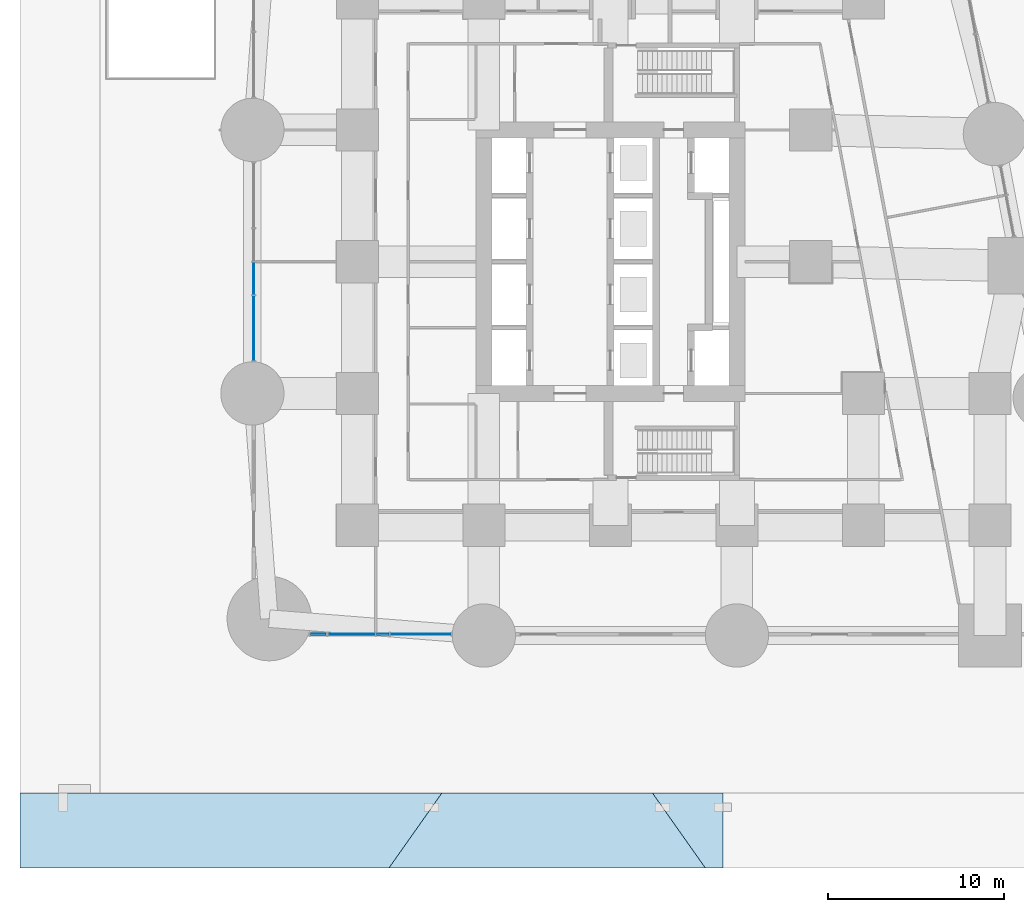
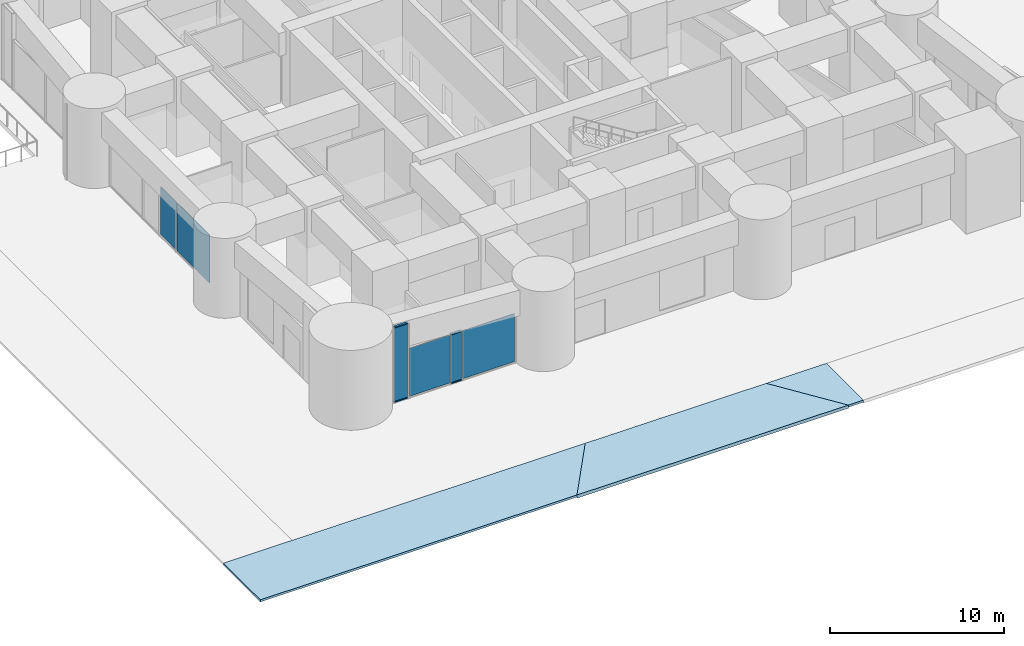
# One storey, part 6 of 16: 6 plates, 4 members, 3 slabs, 3 elements without a shape of their own.
"""IFC4 building model written with IfcOpenShell, lengths in metres."""

from ifc_helpers import new_model, si_unit, direction, frame, origin, origin_2d, place, context, subcontext, project, spatial, polyline, rectangle, outline, extrude, material, layer, layer_set, material_profile, profile_set, type_object, element, aggregate, save


model = new_model("IFC4")

# Units and contexts
model_context = context("Model", 3, precision=1e-05, world=origin(), true_north=direction((0.0, 1.0)))
body_context = subcontext(model_context, "Body", "Model", "MODEL_VIEW")
ifc_project = project(units=[si_unit("LENGTHUNIT", "METRE"), si_unit("AREAUNIT", "SQUARE_METRE"), si_unit("VOLUMEUNIT", "CUBIC_METRE"), si_unit("PLANEANGLEUNIT", "RADIAN"), si_unit("MASSUNIT", "GRAM", prefix="KILO")], contexts=[model_context])

# Site, building, storey
site_placement = place(None, origin())
site = spatial("IfcSite", under=ifc_project, at=site_placement, CompositionType="ELEMENT")
building_placement = place(site_placement, origin())
building = spatial("IfcBuilding", under=site, at=building_placement, Name="Sheger Commons Tower", CompositionType="ELEMENT")
storey_placement = place(building_placement, origin())
storey = spatial("IfcBuildingStorey", under=building, at=storey_placement, Name="L00", CompositionType="ELEMENT", Elevation=0.0)

# Curtain wall, members
ifc_material_1 = material(Name="Black aluminium curtain wall, dark tinted glazing", Category="aluminium")
curtain_wall_type = type_object("IfcCurtainWallType", Name="CURTAIN WALL CW1 SHOPFRONT", PredefinedType="USERDEFINED", material=ifc_material_1)
curtain_wall_1_placement = place(storey_placement, origin())
curtain_wall_1 = element("IfcCurtainWall", 1, at=curtain_wall_1_placement, inside=storey, type_object=curtain_wall_type, Name="Curtain Wall Cw1 Shopfront S1 L00", ObjectType="STICK CURTAIN WALL", PredefinedType="USERDEFINED")
ifc_material_2 = material(Name="Black anodised aluminium", Category="aluminium")
ifc_material_profile = material_profile(ifc_material_2, rectangle(XDim=0.14990234375, YDim=0.06494140625, at=origin_2d()), Name="AL 65x150")
ifc_profile_set = profile_set([ifc_material_profile], Name="Black anodised aluminium")
member_type = type_object("IfcMemberType", Name="TRANSOM AL 65x150", PredefinedType="USERDEFINED", material=ifc_profile_set)
member_1_placement = place(storey_placement, frame((4.527099609375, 1.300048828125, 0.032470703125), z_axis=(1.0, 0.0, 0.0), x_axis=(0.0, 1.0, 0.0)))
member_1 = element("IfcMember", 2, at=member_1_placement, type_object=member_type, Name="CW1 transom 1.1", ObjectType="TRANSOM", PredefinedType="USERDEFINED", context=body_context, shape_type="SweptSolid", body=[
    extrude(rectangle(XDim=0.14990234375, YDim=0.06494140625, at=origin_2d()), origin(), (0.0, 0.0, 1.0), 0.891845703125),
])
member_2_placement = place(storey_placement, frame((4.527099609375, 1.300048828125, 5.267578125), z_axis=(1.0, 0.0, 0.0), x_axis=(0.0, 1.0, 0.0)))
member_2 = element("IfcMember", 3, at=member_2_placement, type_object=member_type, Name="CW1 transom 1.2", ObjectType="TRANSOM", PredefinedType="USERDEFINED", context=body_context, shape_type="SweptSolid", body=[
    extrude(rectangle(XDim=0.14990234375, YDim=0.06494140625, at=origin_2d()), origin(), (0.0, 0.0, 1.0), 0.891845703125),
])

curtain_wall_2_placement = place(storey_placement, origin())
curtain_wall_2 = element("IfcCurtainWall", 4, at=curtain_wall_2_placement, inside=storey, type_object=curtain_wall_type, Name="Curtain Wall Cw1 Shopfront S1 L00", ObjectType="STICK CURTAIN WALL", PredefinedType="USERDEFINED")
member_3_placement = place(storey_placement, frame((8.282470703125, 1.300048828125, 0.032470703125), z_axis=(1.0, 0.0, 0.0), x_axis=(0.0, 1.0, 0.0)))
member_3 = element("IfcMember", 5, at=member_3_placement, type_object=member_type, Name="CW1 transom 2.1", ObjectType="TRANSOM", PredefinedType="USERDEFINED", context=body_context, shape_type="SweptSolid", body=[
    extrude(rectangle(XDim=0.14990234375, YDim=0.06494140625, at=origin_2d()), origin(), (0.0, 0.0, 1.0), 0.72705078125),
])
member_4_placement = place(storey_placement, frame((8.282470703125, 1.300048828125, 3.467529296875), z_axis=(1.0, 0.0, 0.0), x_axis=(0.0, 1.0, 0.0)))
member_4 = element("IfcMember", 6, at=member_4_placement, type_object=member_type, Name="CW1 transom 2.2", ObjectType="TRANSOM", PredefinedType="USERDEFINED", context=body_context, shape_type="SweptSolid", body=[
    extrude(rectangle(XDim=0.14990234375, YDim=0.06494140625, at=origin_2d()), origin(), (0.0, 0.0, 1.0), 0.72705078125),
])

# Plate
ifc_material_3 = material(Name="Dark tinted double glazing, laminated safety glass", Category="glass")
ifc_layer_1 = layer(ifc_material_3, 0.0380859375)
ifc_layer_set_1 = layer_set([ifc_layer_1], Name="GLAZED PANEL 38")
plate_type = type_object("IfcPlateType", Name="GLAZED PANEL 38", PredefinedType="CURTAIN_PANEL", material=ifc_layer_set_1)
plate_1_placement = place(storey_placement, frame((4.972900390625, 1.300048828125, 0.06494140625), z_axis=(0.0, 0.0, 1.0), x_axis=(1.0, 0.0, 0.0)))
plate_1 = element("IfcPlate", 7, at=plate_1_placement, type_object=plate_type, Name="CW1 panel 1.1", PredefinedType="CURTAIN_PANEL", context=body_context, shape_type="SweptSolid", body=[
    extrude(rectangle(XDim=0.89208984375, YDim=0.0380859375, at=origin_2d()), origin(), (0.0, 0.0, 1.0), 5.169921875),
])

aggregate(curtain_wall_1, [member_1, member_2, plate_1])

plate_2_placement = place(storey_placement, frame((6.88330078125, 1.300048828125, 0.06494140625), z_axis=(0.0, 0.0, 1.0), x_axis=(1.0, 0.0, 0.0)))
plate_2 = element("IfcPlate", 8, at=plate_2_placement, type_object=plate_type, Name="CW1 panel 1.1", PredefinedType="CURTAIN_PANEL", context=body_context, shape_type="SweptSolid", body=[
    extrude(rectangle(XDim=2.66845703125, YDim=0.0380859375, at=origin_2d()), origin(), (0.0, 0.0, 1.0), 3.3701171875),
])

plate_3_placement = place(storey_placement, frame((8.64599609375, 1.300048828125, 0.06494140625), z_axis=(0.0, 0.0, 1.0), x_axis=(1.0, 0.0, 0.0)))
plate_3 = element("IfcPlate", 9, at=plate_3_placement, type_object=plate_type, Name="CW1 panel 2.1", PredefinedType="CURTAIN_PANEL", context=body_context, shape_type="SweptSolid", body=[
    extrude(rectangle(XDim=0.72705078125, YDim=0.0380859375, at=origin_2d()), origin(), (0.0, 0.0, 1.0), 3.3701171875),
])

plate_4_placement = place(storey_placement, frame((10.80419921875, 1.300048828125, 0.06494140625), z_axis=(0.0, 0.0, 1.0), x_axis=(1.0, 0.0, 0.0)))
plate_4 = element("IfcPlate", 10, at=plate_4_placement, type_object=plate_type, Name="CW1 panel 3.1", PredefinedType="CURTAIN_PANEL", context=body_context, shape_type="SweptSolid", body=[
    extrude(rectangle(XDim=3.45947265625, YDim=0.0380859375, at=origin_2d()), origin(), (0.0, 0.0, 1.0), 3.3701171875),
])

aggregate(curtain_wall_2, [plate_2, member_3, member_4, plate_3, plate_4])

# Curtain wall, plates
curtain_wall_3_placement = place(storey_placement, origin())
curtain_wall_3 = element("IfcCurtainWall", 11, at=curtain_wall_3_placement, inside=storey, type_object=curtain_wall_type, Name="Curtain Wall Cw1 Shopfront W1 L00", ObjectType="STICK CURTAIN WALL", PredefinedType="USERDEFINED")
plate_5_placement = place(storey_placement, frame((1.300048828125, 21.550048828125, 0.06494140625), z_axis=(0.0, 0.0, 1.0), x_axis=(0.0, -1.0, 0.0)))
plate_5 = element("IfcPlate", 12, at=plate_5_placement, type_object=plate_type, Name="CW1 panel 3.1", PredefinedType="CURTAIN_PANEL", context=body_context, shape_type="SweptSolid", body=[
    extrude(rectangle(XDim=1.8349609375, YDim=0.0380859375, at=origin_2d()), origin(), (0.0, 0.0, 1.0), 3.3701171875),
])
plate_6_placement = place(storey_placement, frame((1.300048828125, 18.716796875, 0.06494140625), z_axis=(0.0, 0.0, 1.0), x_axis=(0.0, -1.0, 0.0)))
plate_6 = element("IfcPlate", 13, at=plate_6_placement, type_object=plate_type, Name="CW1 panel 4.1", PredefinedType="CURTAIN_PANEL", context=body_context, shape_type="SweptSolid", body=[
    extrude(rectangle(XDim=3.701416015625, YDim=0.0380859375, at=origin_2d()), origin(), (0.0, 0.0, 1.0), 3.3701171875),
])
aggregate(curtain_wall_3, [plate_5, plate_6])

# Slabs
ifc_material_4 = material(Name="Reinforced concrete C32/40, brushed finish", Category="concrete")
ifc_layer_2 = layer(ifc_material_4, 0.22509765625)
ifc_layer_set_2 = layer_set([ifc_layer_2], Name="HARDSTANDING 225")
slab_type_1 = type_object("IfcSlabType", Name="HARDSTANDING 225", PredefinedType="USERDEFINED", material=ifc_layer_set_2)
slab_1_placement = place(storey_placement, frame((0.0, 0.0, -0.22509765625)))
element("IfcSlab", 14, at=slab_1_placement, inside=storey, type_object=slab_type_1, Name="Accessible drop-off lay-by", ObjectType="PAVING", PredefinedType="USERDEFINED", context=body_context, shape_type="SweptSolid", body=[
    extrude(outline(polyline([(9.0, -12.0), (27.0, -12.0), (24.0, -7.75), (12.0, -7.75), (9.0, -12.0)])), origin(), (0.0, 0.0, 1.0), 0.22509765625),
])
ifc_material_5 = material(Name="Granite setts on a mortar bed", Category="masonry")
ifc_layer_3 = layer(ifc_material_5, 0.14990234375)
ifc_layer_set_3 = layer_set([ifc_layer_3], Name="PAVING 150")
slab_type_2 = type_object("IfcSlabType", Name="PAVING 150", PredefinedType="USERDEFINED", material=ifc_layer_set_3)
slab_2_placement = place(storey_placement, frame((0.0, 0.0, -0.14990234375)))
element("IfcSlab", 15, at=slab_2_placement, inside=storey, type_object=slab_type_2, Name="South footway 1", ObjectType="PAVING", PredefinedType="USERDEFINED", context=body_context, shape_type="SweptSolid", body=[
    extrude(outline(polyline([(-12.0, -12.0), (9.0, -12.0), (12.0, -7.75), (-7.449951171875, -7.75), (-12.0, -7.75), (-12.0, -12.0)])), origin(), (0.0, 0.0, 1.0), 0.14990234375),
])
slab_3_placement = place(storey_placement, frame((0.0, 0.0, -0.14990234375)))
element("IfcSlab", 16, at=slab_3_placement, inside=storey, type_object=slab_type_2, Name="South footway 2", ObjectType="PAVING", PredefinedType="USERDEFINED", context=body_context, shape_type="SweptSolid", body=[
    extrude(outline(polyline([(27.0, -12.0), (28.0, -12.0), (28.0, -7.75), (24.0, -7.75), (27.0, -12.0)])), origin(), (0.0, 0.0, 1.0), 0.14990234375),
])

save(model, "model.ifc")
